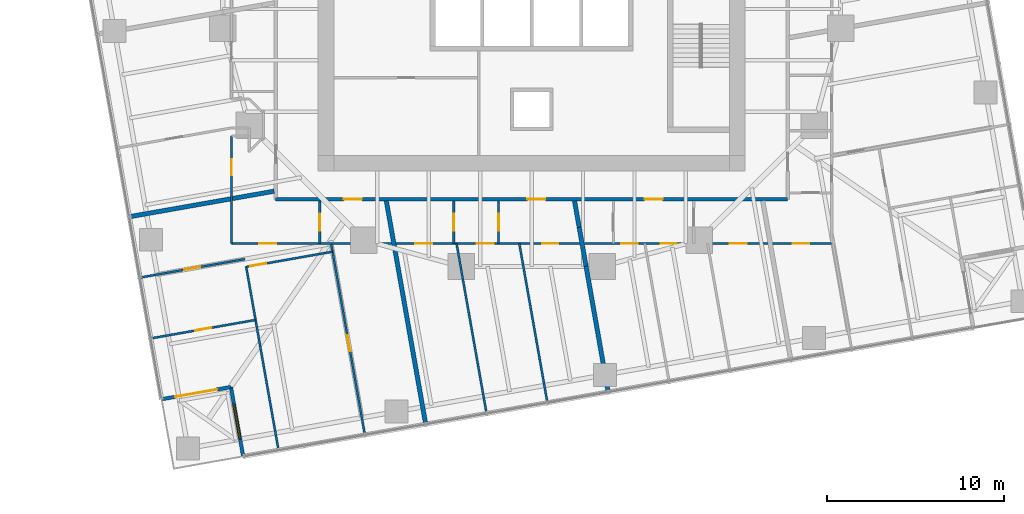
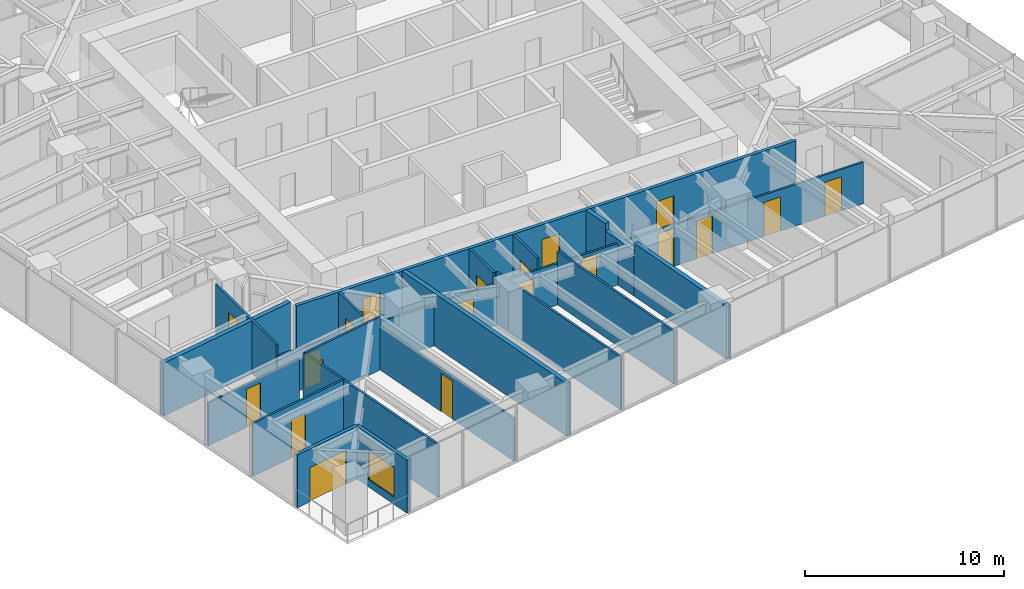
# One storey, part 8 of 14: 20 doors, 20 walls, 1 window, 21 openings.
"""IFC4 building model written with IfcOpenShell, lengths in metres."""

from ifc_helpers import new_model, si_unit, direction, frame, frame_2d, origin, place, context, subcontext, project, spatial, rectangle, extrude, material, layer, layer_set, type_object, element, fill, save


model = new_model("IFC4")

# Units and contexts
model_context = context("Model", 3, precision=1e-05, world=origin(), true_north=direction((0.0, 1.0)))
body_context = subcontext(model_context, "Body", "Model", "MODEL_VIEW")
ifc_project = project(units=[si_unit("LENGTHUNIT", "METRE"), si_unit("AREAUNIT", "SQUARE_METRE"), si_unit("VOLUMEUNIT", "CUBIC_METRE"), si_unit("PLANEANGLEUNIT", "RADIAN"), si_unit("MASSUNIT", "GRAM", prefix="KILO")], contexts=[model_context])

# Site, building, storey
site_placement = place(None, origin())
site = spatial("IfcSite", under=ifc_project, at=site_placement, CompositionType="ELEMENT")
building_placement = place(site_placement, origin())
building = spatial("IfcBuilding", under=site, at=building_placement, Name="Torsade Residences", CompositionType="ELEMENT")
storey_placement = place(building_placement, frame((0.0, 0.0, 93.0)))
storey = spatial("IfcBuildingStorey", under=building, at=storey_placement, Name="L25", CompositionType="ELEMENT", Elevation=93.0)

# Wall, openings, doors
ifc_material_1 = material(Name="Plasterboard on steel stud", Category="steel")
ifc_layer_1 = layer(ifc_material_1, 0.199951171875)
ifc_layer_set_1 = layer_set([ifc_layer_1], Name="Plasterboard on steel stud")
wall_type_1 = type_object("IfcWallType", Name="CORRIDOR WALL 200", PredefinedType="PARTITIONING", material=ifc_layer_set_1)
wall_1_placement = place(storey_placement, frame((25.5, 16.300048828125, 0.0), z_axis=(0.0, 0.0, 1.0), x_axis=(1.0, 0.0, 0.0)))
wall_1 = element("IfcWall", 1, at=wall_1_placement, inside=storey, type_object=wall_type_1, Name="Corridor wall L25", PredefinedType="PARTITIONING", context=body_context, shape_type="SweptSolid", body=[
    extrude(rectangle(XDim=29.0, YDim=0.199951171875, at=frame_2d((14.5, 0.0))), origin(), (0.0, 0.0, 1.0), 3.25),
])
opening_1_placement = place(wall_1_placement, frame((20.896240234375, 0.0, 0.0)))
opening_1 = element("IfcOpeningElement", 2, at=opening_1_placement, cuts=wall_1, Name="Opening D01", PredefinedType="OPENING", context=body_context, shape_type="SweptSolid", body=[
    extrude(rectangle(XDim=1.02001953125, YDim=2.340087890625, at=frame_2d((0.510009765625, 1.169921875))), frame((0.0, 0.10986328125, 0.0), z_axis=(0.0, -1.0, 0.0), x_axis=(1.0, 0.0, 0.0)), (0.0, 0.0, 1.0), 0.219970703125),
])
opening_2_placement = place(wall_1_placement, frame((14.257080078125, 0.0, 0.0)))
opening_2 = element("IfcOpeningElement", 3, at=opening_2_placement, cuts=wall_1, Name="Opening D01", PredefinedType="OPENING", context=body_context, shape_type="SweptSolid", body=[
    extrude(rectangle(XDim=1.02001953125, YDim=2.340087890625, at=frame_2d((0.510009765625, 1.169921875))), frame((0.0, 0.10986328125, 0.0), z_axis=(0.0, -1.0, 0.0), x_axis=(1.0, 0.0, 0.0)), (0.0, 0.0, 1.0), 0.219970703125),
])
opening_3_placement = place(wall_1_placement, frame((3.857421875, 0.0, 0.0)))
opening_3 = element("IfcOpeningElement", 4, at=opening_3_placement, cuts=wall_1, Name="Opening D01", PredefinedType="OPENING", context=body_context, shape_type="SweptSolid", body=[
    extrude(rectangle(XDim=1.02001953125, YDim=2.340087890625, at=frame_2d((0.510009765625, 1.169921875))), frame((0.0, 0.10986328125, 0.0), z_axis=(0.0, -1.0, 0.0), x_axis=(1.0, 0.0, 0.0)), (0.0, 0.0, 1.0), 0.219970703125),
])
ifc_material_2 = material(Name="Solid-core timber fire door", Category="wood")
door_type_1 = type_object("IfcDoorType", Name="APARTMENT ENTRY DOOR 1020x2340", OperationType="NOTDEFINED", PredefinedType="DOOR", material=ifc_material_2)
door_1_placement = place(opening_1_placement, origin())
door_1 = element("IfcDoor", 5, at=door_1_placement, inside=storey, type_object=door_type_1, Name="Door Residential corridor to Kitchen and dining", OperationType="SINGLE_SWING_LEFT", OverallHeight=2.340087890625, OverallWidth=1.02001953125, PredefinedType="DOOR", context=body_context, shape_type="SweptSolid", body=[
    extrude(rectangle(XDim=1.02001953125, YDim=2.340087890625, at=frame_2d((0.510009765625, 1.169921875))), frame((0.0, 0.02490234375, 0.0), z_axis=(0.0, -1.0, 0.0), x_axis=(1.0, 0.0, 0.0)), (0.0, 0.0, 1.0), 0.050048828125),
])
fill(opening_1, door_1)
door_2_placement = place(opening_2_placement, origin())
door_2 = element("IfcDoor", 6, at=door_2_placement, inside=storey, type_object=door_type_1, Name="Door Residential corridor to Kitchen and dining", OperationType="SINGLE_SWING_LEFT", OverallHeight=2.340087890625, OverallWidth=1.02001953125, PredefinedType="DOOR", context=body_context, shape_type="SweptSolid", body=[
    extrude(rectangle(XDim=1.02001953125, YDim=2.340087890625, at=frame_2d((0.510009765625, 1.169921875))), frame((0.0, 0.02490234375, 0.0), z_axis=(0.0, -1.0, 0.0), x_axis=(1.0, 0.0, 0.0)), (0.0, 0.0, 1.0), 0.050048828125),
])
fill(opening_2, door_2)
door_3_placement = place(opening_3_placement, origin())
door_3 = element("IfcDoor", 7, at=door_3_placement, inside=storey, type_object=door_type_1, Name="Door Residential corridor to Kitchen and dining", OperationType="SINGLE_SWING_RIGHT", OverallHeight=2.340087890625, OverallWidth=1.02001953125, PredefinedType="DOOR", context=body_context, shape_type="SweptSolid", body=[
    extrude(rectangle(XDim=1.02001953125, YDim=2.340087890625, at=frame_2d((0.510009765625, 1.169921875))), frame((0.0, 0.02490234375, 0.0), z_axis=(0.0, -1.0, 0.0), x_axis=(1.0, 0.0, 0.0)), (0.0, 0.0, 1.0), 0.050048828125),
])
fill(opening_3, door_3)

# Wall, opening, door
ifc_material_3 = material(Name="Plasterboard on steel stud", Category="steel")
ifc_layer_2 = layer(ifc_material_3, 0.1201171875)
ifc_layer_set_2 = layer_set([ifc_layer_2], Name="Plasterboard on steel stud")
wall_type_2 = type_object("IfcWallType", Name="PARTITION 120", PredefinedType="PARTITIONING", material=ifc_layer_set_2)
wall_2_placement = place(storey_placement, frame((23.0, 13.800048828125, 0.0), z_axis=(0.0, 0.0, 1.0), x_axis=(0.0, 1.0, 0.0)))
wall_2 = element("IfcWall", 8, at=wall_2_placement, inside=storey, type_object=wall_type_2, Name="Partition L25", PredefinedType="PARTITIONING", context=body_context, shape_type="SweptSolid", body=[
    extrude(rectangle(XDim=6.09423828125, YDim=0.1201171875, at=frame_2d((3.047119140625, 0.0))), origin(), (0.0, 0.0, 1.0), 3.25),
])
opening_4_placement = place(wall_2_placement, frame((3.857421875, 0.0, 0.0)))
opening_4 = element("IfcOpeningElement", 9, at=opening_4_placement, cuts=wall_2, Name="Opening D02", PredefinedType="OPENING", context=body_context, shape_type="SweptSolid", body=[
    extrude(rectangle(XDim=0.919921875, YDim=2.340087890625, at=frame_2d((0.4599609375, 1.169921875))), frame((0.0, 0.070068359375, 0.0), z_axis=(0.0, -1.0, 0.0), x_axis=(1.0, 0.0, 0.0)), (0.0, 0.0, 1.0), 0.14013671875),
])
ifc_material_4 = material(Name="Hollow-core timber door", Category="wood")
door_type_2 = type_object("IfcDoorType", Name="INTERNAL DOOR 920x2340", OperationType="NOTDEFINED", PredefinedType="DOOR", material=ifc_material_4)
door_4_placement = place(opening_4_placement, origin())
door_4 = element("IfcDoor", 10, at=door_4_placement, inside=storey, type_object=door_type_2, Name="Door Kitchen and dining to Bedroom 1", OperationType="SINGLE_SWING_LEFT", OverallHeight=2.340087890625, OverallWidth=0.919921875, PredefinedType="DOOR", context=body_context, shape_type="SweptSolid", body=[
    extrude(rectangle(XDim=0.919921875, YDim=2.340087890625, at=frame_2d((0.4599609375, 1.169921875))), frame((0.0, 0.02490234375, 0.0), z_axis=(0.0, -1.0, 0.0), x_axis=(1.0, 0.0, 0.0)), (0.0, 0.0, 1.0), 0.050048828125),
])
fill(opening_4, door_4)

wall_3_placement = place(storey_placement, frame((27.994873046875, 13.800048828125, 0.0), z_axis=(0.0, 0.0, 1.0), x_axis=(0.0, 1.0, 0.0)))
wall_3 = element("IfcWall", 11, at=wall_3_placement, inside=storey, type_object=wall_type_2, Name="Partition L25", PredefinedType="PARTITIONING", context=body_context, shape_type="SweptSolid", body=[
    extrude(rectangle(XDim=2.39990234375, YDim=0.1201171875, at=frame_2d((1.199951171875, 0.0))), origin(), (0.0, 0.0, 1.0), 3.25),
])
opening_5_placement = place(wall_3_placement, frame((0.719970703125, 0.0, 0.0)))
opening_5 = element("IfcOpeningElement", 12, at=opening_5_placement, cuts=wall_3, Name="Opening D05", PredefinedType="OPENING", context=body_context, shape_type="SweptSolid", body=[
    extrude(rectangle(XDim=0.9599609375, YDim=2.10009765625, at=frame_2d((0.47998046875, 1.050048828125))), frame((0.0, 0.070068359375, 0.0), z_axis=(0.0, -1.0, 0.0), x_axis=(1.0, 0.0, 0.0)), (0.0, 0.0, 1.0), 0.14013671875),
])
ifc_material_5 = material(Name="Hollow-core timber door in a steel cavity frame", Category="steel")
door_type_3 = type_object("IfcDoorType", Name="BATHROOM CAVITY SLIDING DOOR 960", OperationType="SLIDING_TO_LEFT", PredefinedType="DOOR", material=ifc_material_5)
door_5_placement = place(opening_5_placement, origin())
door_5 = element("IfcDoor", 13, at=door_5_placement, inside=storey, type_object=door_type_3, Name="Door Kitchen and dining to Bathroom", OperationType="SLIDING_TO_LEFT", OverallHeight=2.10009765625, OverallWidth=0.9599609375, PredefinedType="DOOR", context=body_context, shape_type="SweptSolid", body=[
    extrude(rectangle(XDim=0.9599609375, YDim=2.10009765625, at=frame_2d((0.47998046875, 1.050048828125))), frame((0.0, 0.02490234375, 0.0), z_axis=(0.0, -1.0, 0.0), x_axis=(1.0, 0.0, 0.0)), (0.0, 0.0, 1.0), 0.050048828125),
])
fill(opening_5, door_5)

# Wall, openings, doors
wall_4_placement = place(storey_placement, frame((57.0, 13.800048828125, 0.0), z_axis=(0.0, 0.0, 1.0), x_axis=(-1.0, 0.0, 0.0)))
wall_4 = element("IfcWall", 14, at=wall_4_placement, inside=storey, type_object=wall_type_2, Name="Partition L25", PredefinedType="PARTITIONING", context=body_context, shape_type="SweptSolid", body=[
    extrude(rectangle(XDim=34.0, YDim=0.1201171875, at=frame_2d((17.0, 0.0))), origin(), (0.0, 0.0, 1.0), 2.550048828125),
])
opening_6_placement = place(wall_4_placement, frame((8.767822265625, 0.0, 0.0)))
opening_6 = element("IfcOpeningElement", 15, at=opening_6_placement, cuts=wall_4, Name="Opening D02", PredefinedType="OPENING", context=body_context, shape_type="SweptSolid", body=[
    extrude(rectangle(XDim=0.919921875, YDim=2.340087890625, at=frame_2d((0.4599609375, 1.169921875))), frame((0.0, 0.070068359375, 0.0), z_axis=(0.0, -1.0, 0.0), x_axis=(1.0, 0.0, 0.0)), (0.0, 0.0, 1.0), 0.14013671875),
])
opening_7_placement = place(wall_4_placement, frame((10.995361328125, 0.0, 0.0)))
opening_7 = element("IfcOpeningElement", 16, at=opening_7_placement, cuts=wall_4, Name="Opening D02", PredefinedType="OPENING", context=body_context, shape_type="SweptSolid", body=[
    extrude(rectangle(XDim=0.919921875, YDim=2.340087890625, at=frame_2d((0.4599609375, 1.169921875))), frame((0.0, 0.070068359375, 0.0), z_axis=(0.0, -1.0, 0.0), x_axis=(1.0, 0.0, 0.0)), (0.0, 0.0, 1.0), 0.14013671875),
])
opening_8_placement = place(wall_4_placement, frame((15.48583984375, 0.0, 0.0)))
opening_8 = element("IfcOpeningElement", 17, at=opening_8_placement, cuts=wall_4, Name="Opening D02", PredefinedType="OPENING", context=body_context, shape_type="SweptSolid", body=[
    extrude(rectangle(XDim=0.919921875, YDim=2.340087890625, at=frame_2d((0.4599609375, 1.169921875))), frame((0.0, 0.070068359375, 0.0), z_axis=(0.0, -1.0, 0.0), x_axis=(1.0, 0.0, 0.0)), (0.0, 0.0, 1.0), 0.14013671875),
])
opening_9_placement = place(wall_4_placement, frame((4.803955078125, 0.0, 0.0)))
opening_9 = element("IfcOpeningElement", 18, at=opening_9_placement, cuts=wall_4, Name="Opening D05", PredefinedType="OPENING", context=body_context, shape_type="SweptSolid", body=[
    extrude(rectangle(XDim=0.9599609375, YDim=2.10009765625, at=frame_2d((0.47998046875, 1.050048828125))), frame((0.0, 0.070068359375, 0.0), z_axis=(0.0, -1.0, 0.0), x_axis=(1.0, 0.0, 0.0)), (0.0, 0.0, 1.0), 0.14013671875),
])
opening_10_placement = place(wall_4_placement, frame((19.155029296875, 0.0, 0.0)))
opening_10 = element("IfcOpeningElement", 19, at=opening_10_placement, cuts=wall_4, Name="Opening D05", PredefinedType="OPENING", context=body_context, shape_type="SweptSolid", body=[
    extrude(rectangle(XDim=0.9599609375, YDim=2.10009765625, at=frame_2d((0.47998046875, 1.050048828125))), frame((0.0, 0.070068359375, 0.0), z_axis=(0.0, -1.0, 0.0), x_axis=(1.0, 0.0, 0.0)), (0.0, 0.0, 1.0), 0.14013671875),
])
opening_11_placement = place(wall_4_placement, frame((31.47265625, 0.0, 0.0)))
opening_11 = element("IfcOpeningElement", 20, at=opening_11_placement, cuts=wall_4, Name="Opening D05", PredefinedType="OPENING", context=body_context, shape_type="SweptSolid", body=[
    extrude(rectangle(XDim=0.9599609375, YDim=2.10009765625, at=frame_2d((0.47998046875, 1.050048828125))), frame((0.0, 0.070068359375, 0.0), z_axis=(0.0, -1.0, 0.0), x_axis=(1.0, 0.0, 0.0)), (0.0, 0.0, 1.0), 0.14013671875),
])
opening_12_placement = place(wall_4_placement, frame((1.2607421875, 0.0, 0.0)))
opening_12 = element("IfcOpeningElement", 21, at=opening_12_placement, cuts=wall_4, Name="Opening D05", PredefinedType="OPENING", context=body_context, shape_type="SweptSolid", body=[
    extrude(rectangle(XDim=0.9599609375, YDim=2.10009765625, at=frame_2d((0.47998046875, 1.050048828125))), frame((0.0, 0.070068359375, 0.0), z_axis=(0.0, -1.0, 0.0), x_axis=(1.0, 0.0, 0.0)), (0.0, 0.0, 1.0), 0.14013671875),
])
opening_13_placement = place(wall_4_placement, frame((22.627197265625, 0.0, 0.0)))
opening_13 = element("IfcOpeningElement", 22, at=opening_13_placement, cuts=wall_4, Name="Opening D05", PredefinedType="OPENING", context=body_context, shape_type="SweptSolid", body=[
    extrude(rectangle(XDim=0.9599609375, YDim=2.10009765625, at=frame_2d((0.47998046875, 1.050048828125))), frame((0.0, 0.070068359375, 0.0), z_axis=(0.0, -1.0, 0.0), x_axis=(1.0, 0.0, 0.0)), (0.0, 0.0, 1.0), 0.14013671875),
])
door_6_placement = place(opening_9_placement, origin())
door_6 = element("IfcDoor", 23, at=door_6_placement, inside=storey, type_object=door_type_3, Name="Door Bathroom to Bedroom 2", OperationType="SLIDING_TO_LEFT", OverallHeight=2.10009765625, OverallWidth=0.9599609375, PredefinedType="DOOR", context=body_context, shape_type="SweptSolid", body=[
    extrude(rectangle(XDim=0.9599609375, YDim=2.10009765625, at=frame_2d((0.47998046875, 1.050048828125))), frame((0.0, 0.02490234375, 0.0), z_axis=(0.0, -1.0, 0.0), x_axis=(1.0, 0.0, 0.0)), (0.0, 0.0, 1.0), 0.050048828125),
])
fill(opening_9, door_6)
door_7_placement = place(opening_10_placement, origin())
door_7 = element("IfcDoor", 24, at=door_7_placement, inside=storey, type_object=door_type_3, Name="Door Ensuite to Bedroom 1", OperationType="SLIDING_TO_LEFT", OverallHeight=2.10009765625, OverallWidth=0.9599609375, PredefinedType="DOOR", context=body_context, shape_type="SweptSolid", body=[
    extrude(rectangle(XDim=0.9599609375, YDim=2.10009765625, at=frame_2d((0.47998046875, 1.050048828125))), frame((0.0, 0.02490234375, 0.0), z_axis=(0.0, -1.0, 0.0), x_axis=(1.0, 0.0, 0.0)), (0.0, 0.0, 1.0), 0.050048828125),
])
fill(opening_10, door_7)
door_8_placement = place(opening_11_placement, origin())
door_8 = element("IfcDoor", 25, at=door_8_placement, inside=storey, type_object=door_type_3, Name="Door Bathroom to Study", OperationType="SLIDING_TO_LEFT", OverallHeight=2.10009765625, OverallWidth=0.9599609375, PredefinedType="DOOR", context=body_context, shape_type="SweptSolid", body=[
    extrude(rectangle(XDim=0.9599609375, YDim=2.10009765625, at=frame_2d((0.47998046875, 1.050048828125))), frame((0.0, 0.02490234375, 0.0), z_axis=(0.0, -1.0, 0.0), x_axis=(1.0, 0.0, 0.0)), (0.0, 0.0, 1.0), 0.050048828125),
])
fill(opening_11, door_8)
door_9_placement = place(opening_12_placement, origin())
door_9 = element("IfcDoor", 26, at=door_9_placement, inside=storey, type_object=door_type_3, Name="Door WC to Family room", OperationType="SLIDING_TO_LEFT", OverallHeight=2.10009765625, OverallWidth=0.9599609375, PredefinedType="DOOR", context=body_context, shape_type="SweptSolid", body=[
    extrude(rectangle(XDim=0.9599609375, YDim=2.10009765625, at=frame_2d((0.47998046875, 1.050048828125))), frame((0.0, 0.02490234375, 0.0), z_axis=(0.0, -1.0, 0.0), x_axis=(1.0, 0.0, 0.0)), (0.0, 0.0, 1.0), 0.050048828125),
])
fill(opening_12, door_9)
door_10_placement = place(opening_13_placement, origin())
door_10 = element("IfcDoor", 27, at=door_10_placement, inside=storey, type_object=door_type_3, Name="Door Bathroom to Living room", OperationType="SLIDING_TO_LEFT", OverallHeight=2.10009765625, OverallWidth=0.9599609375, PredefinedType="DOOR", context=body_context, shape_type="SweptSolid", body=[
    extrude(rectangle(XDim=0.9599609375, YDim=2.10009765625, at=frame_2d((0.47998046875, 1.050048828125))), frame((0.0, 0.02490234375, 0.0), z_axis=(0.0, -1.0, 0.0), x_axis=(1.0, 0.0, 0.0)), (0.0, 0.0, 1.0), 0.050048828125),
])
fill(opening_13, door_10)
door_11_placement = place(opening_6_placement, origin())
door_11 = element("IfcDoor", 28, at=door_11_placement, inside=storey, type_object=door_type_2, Name="Door Kitchen and dining to Bedroom 1", OperationType="SINGLE_SWING_LEFT", OverallHeight=2.340087890625, OverallWidth=0.919921875, PredefinedType="DOOR", context=body_context, shape_type="SweptSolid", body=[
    extrude(rectangle(XDim=0.919921875, YDim=2.340087890625, at=frame_2d((0.4599609375, 1.169921875))), frame((0.0, 0.02490234375, 0.0), z_axis=(0.0, -1.0, 0.0), x_axis=(1.0, 0.0, 0.0)), (0.0, 0.0, 1.0), 0.050048828125),
])
fill(opening_6, door_11)
door_12_placement = place(opening_7_placement, origin())
door_12 = element("IfcDoor", 29, at=door_12_placement, inside=storey, type_object=door_type_2, Name="Door Kitchen and dining to Living room", OperationType="SINGLE_SWING_LEFT", OverallHeight=2.340087890625, OverallWidth=0.919921875, PredefinedType="DOOR", context=body_context, shape_type="SweptSolid", body=[
    extrude(rectangle(XDim=0.919921875, YDim=2.340087890625, at=frame_2d((0.4599609375, 1.169921875))), frame((0.0, 0.02490234375, 0.0), z_axis=(0.0, -1.0, 0.0), x_axis=(1.0, 0.0, 0.0)), (0.0, 0.0, 1.0), 0.050048828125),
])
fill(opening_7, door_12)
door_13_placement = place(opening_8_placement, origin())
door_13 = element("IfcDoor", 30, at=door_13_placement, inside=storey, type_object=door_type_2, Name="Door Kitchen and dining to Bedroom 2", OperationType="SINGLE_SWING_LEFT", OverallHeight=2.340087890625, OverallWidth=0.919921875, PredefinedType="DOOR", context=body_context, shape_type="SweptSolid", body=[
    extrude(rectangle(XDim=0.919921875, YDim=2.340087890625, at=frame_2d((0.4599609375, 1.169921875))), frame((0.0, 0.02490234375, 0.0), z_axis=(0.0, -1.0, 0.0), x_axis=(1.0, 0.0, 0.0)), (0.0, 0.0, 1.0), 0.050048828125),
])
fill(opening_8, door_13)

# Wall, opening, door
wall_5_placement = place(storey_placement, frame((28.647705078125, 13.759765625, 0.0), z_axis=(0.0, 0.0, 1.0), x_axis=(0.173632532564, -0.984810511538, 0.0)))
wall_5 = element("IfcWall", 31, at=wall_5_placement, inside=storey, type_object=wall_type_2, Name="Partition L25", PredefinedType="PARTITIONING", context=body_context, shape_type="SweptSolid", body=[
    extrude(rectangle(XDim=10.93798828125, YDim=0.1201171875, at=frame_2d((5.468994140625, 0.0))), origin(), (0.0, 0.0, 1.0), 2.637939453125),
])
opening_14_placement = place(wall_5_placement, frame((5.24267578125, 0.0, 0.0)))
opening_14 = element("IfcOpeningElement", 32, at=opening_14_placement, cuts=wall_5, Name="Opening D02", PredefinedType="OPENING", context=body_context, shape_type="SweptSolid", body=[
    extrude(rectangle(XDim=0.919921875, YDim=2.340087890625, at=frame_2d((0.4599609375, 1.169921875))), frame((0.0, 0.070068359375, 0.0), z_axis=(0.0, -1.0, 0.0), x_axis=(1.0, 0.0, 0.0)), (0.0, 0.0, 1.0), 0.14013671875),
])
door_14_placement = place(opening_14_placement, origin())
door_14 = element("IfcDoor", 33, at=door_14_placement, inside=storey, type_object=door_type_2, Name="Door Living room to Bedroom 1", OperationType="SINGLE_SWING_LEFT", OverallHeight=2.340087890625, OverallWidth=0.919921875, PredefinedType="DOOR", context=body_context, shape_type="SweptSolid", body=[
    extrude(rectangle(XDim=0.919921875, YDim=2.340087890625, at=frame_2d((0.4599609375, 1.169921875))), frame((0.0, 0.02490234375, 0.0), z_axis=(0.0, -1.0, 0.0), x_axis=(1.0, 0.0, 0.0)), (0.0, 0.0, 1.0), 0.050048828125),
])
fill(opening_14, door_14)

# Wall
wall_6_placement = place(storey_placement, frame((25.65576171875, 2.125732421875, 0.0), z_axis=(0.0, 0.0, 1.0), x_axis=(-0.173653317458, 0.984806846715, 0.0)))
element("IfcWall", 34, at=wall_6_placement, inside=storey, type_object=wall_type_2, Name="Partition L25", PredefinedType="PARTITIONING", context=body_context, shape_type="SweptSolid", body=[
    extrude(rectangle(XDim=10.550048828125, YDim=0.1201171875, at=frame_2d((5.27490234375, 0.0))), origin(), (0.0, 0.0, 1.0), 3.25),
])

# Wall, opening, door
wall_7_placement = place(storey_placement, frame((23.830810546875, 12.47607421875, 0.0), z_axis=(0.0, 0.0, 1.0), x_axis=(0.984810765884, 0.173631089957, 0.0)))
wall_7 = element("IfcWall", 35, at=wall_7_placement, inside=storey, type_object=wall_type_2, Name="Partition L25", PredefinedType="PARTITIONING", context=body_context, shape_type="SweptSolid", body=[
    extrude(rectangle(XDim=4.96630859375, YDim=0.1201171875, at=frame_2d((2.483154296875, 0.0))), origin(), (0.0, 0.0, 1.0), 3.25),
])
opening_15_placement = place(wall_7_placement, frame((0.223388671875, 0.0, 0.0)))
opening_15 = element("IfcOpeningElement", 36, at=opening_15_placement, cuts=wall_7, Name="Opening D02", PredefinedType="OPENING", context=body_context, shape_type="SweptSolid", body=[
    extrude(rectangle(XDim=0.919921875, YDim=2.340087890625, at=frame_2d((0.4599609375, 1.169921875))), frame((0.0, 0.070068359375, 0.0), z_axis=(0.0, -1.0, 0.0), x_axis=(1.0, 0.0, 0.0)), (0.0, 0.0, 1.0), 0.14013671875),
])
door_15_placement = place(opening_15_placement, origin())
door_15 = element("IfcDoor", 37, at=door_15_placement, inside=storey, type_object=door_type_2, Name="Door Study to Living room", OperationType="SINGLE_SWING_LEFT", OverallHeight=2.340087890625, OverallWidth=0.919921875, PredefinedType="DOOR", context=body_context, shape_type="SweptSolid", body=[
    extrude(rectangle(XDim=0.919921875, YDim=2.340087890625, at=frame_2d((0.4599609375, 1.169921875))), frame((0.0, 0.02490234375, 0.0), z_axis=(0.0, -1.0, 0.0), x_axis=(1.0, 0.0, 0.0)), (0.0, 0.0, 1.0), 0.050048828125),
])
fill(opening_15, door_15)

wall_8_placement = place(storey_placement, frame((18.4580078125, 8.431640625, 0.0), z_axis=(0.0, 0.0, 1.0), x_axis=(0.984806924634, 0.173652875567, 0.0)))
wall_8 = element("IfcWall", 38, at=wall_8_placement, inside=storey, type_object=wall_type_2, Name="Partition L25", PredefinedType="PARTITIONING", context=body_context, shape_type="SweptSolid", body=[
    extrude(rectangle(XDim=5.993408203125, YDim=0.1201171875, at=frame_2d((2.99658203125, 0.0))), origin(), (0.0, 0.0, 1.0), 3.25),
])
opening_16_placement = place(wall_8_placement, frame((2.5166015625, 0.0, 0.0)))
opening_16 = element("IfcOpeningElement", 39, at=opening_16_placement, cuts=wall_8, Name="Opening D02", PredefinedType="OPENING", context=body_context, shape_type="SweptSolid", body=[
    extrude(rectangle(XDim=0.919921875, YDim=2.340087890625, at=frame_2d((0.4599609375, 1.169921875))), frame((0.0, 0.070068359375, 0.0), z_axis=(0.0, -1.0, 0.0), x_axis=(1.0, 0.0, 0.0)), (0.0, 0.0, 1.0), 0.14013671875),
])
door_16_placement = place(opening_16_placement, origin())
door_16 = element("IfcDoor", 40, at=door_16_placement, inside=storey, type_object=door_type_2, Name="Door Family room to Bedroom 2", OperationType="SINGLE_SWING_RIGHT", OverallHeight=2.340087890625, OverallWidth=0.919921875, PredefinedType="DOOR", context=body_context, shape_type="SweptSolid", body=[
    extrude(rectangle(XDim=0.919921875, YDim=2.340087890625, at=frame_2d((0.4599609375, 1.169921875))), frame((0.0, 0.02490234375, 0.0), z_axis=(0.0, -1.0, 0.0), x_axis=(1.0, 0.0, 0.0)), (0.0, 0.0, 1.0), 0.050048828125),
])
fill(opening_16, door_16)

wall_9_placement = place(storey_placement, frame((23.752685546875, 12.919189453125, 0.0), z_axis=(0.0, 0.0, 1.0), x_axis=(-0.984806924634, -0.173652875567, 0.0)))
wall_9 = element("IfcWall", 41, at=wall_9_placement, inside=storey, type_object=wall_type_2, Name="Partition L25", PredefinedType="PARTITIONING", context=body_context, shape_type="SweptSolid", body=[
    extrude(rectangle(XDim=5.993408203125, YDim=0.1201171875, at=frame_2d((2.99658203125, 0.0))), origin(), (0.0, 0.0, 1.0), 2.637939453125),
])
opening_17_placement = place(wall_9_placement, frame((2.556640625, 0.0, 0.0)))
opening_17 = element("IfcOpeningElement", 42, at=opening_17_placement, cuts=wall_9, Name="Opening D02", PredefinedType="OPENING", context=body_context, shape_type="SweptSolid", body=[
    extrude(rectangle(XDim=0.919921875, YDim=2.340087890625, at=frame_2d((0.4599609375, 1.169921875))), frame((0.0, 0.070068359375, 0.0), z_axis=(0.0, -1.0, 0.0), x_axis=(1.0, 0.0, 0.0)), (0.0, 0.0, 1.0), 0.14013671875),
])
door_17_placement = place(opening_17_placement, origin())
door_17 = element("IfcDoor", 43, at=door_17_placement, inside=storey, type_object=door_type_2, Name="Door Study to Family room", OperationType="SINGLE_SWING_RIGHT", OverallHeight=2.340087890625, OverallWidth=0.919921875, PredefinedType="DOOR", context=body_context, shape_type="SweptSolid", body=[
    extrude(rectangle(XDim=0.919921875, YDim=2.340087890625, at=frame_2d((0.4599609375, 1.169921875))), frame((0.0, 0.02490234375, 0.0), z_axis=(0.0, -1.0, 0.0), x_axis=(1.0, 0.0, 0.0)), (0.0, 0.0, 1.0), 0.050048828125),
])
fill(opening_17, door_17)

wall_10_placement = place(storey_placement, frame((38.132080078125, 13.800048828125, 0.0), z_axis=(0.0, 0.0, 1.0), x_axis=(0.0, 1.0, 0.0)))
wall_10 = element("IfcWall", 44, at=wall_10_placement, inside=storey, type_object=wall_type_2, Name="Partition L25", PredefinedType="PARTITIONING", context=body_context, shape_type="SweptSolid", body=[
    extrude(rectangle(XDim=2.39990234375, YDim=0.1201171875, at=frame_2d((1.199951171875, 0.0))), origin(), (0.0, 0.0, 1.0), 3.25),
])
opening_18_placement = place(wall_10_placement, frame((0.719970703125, 0.0, 0.0)))
opening_18 = element("IfcOpeningElement", 45, at=opening_18_placement, cuts=wall_10, Name="Opening D05", PredefinedType="OPENING", context=body_context, shape_type="SweptSolid", body=[
    extrude(rectangle(XDim=0.9599609375, YDim=2.10009765625, at=frame_2d((0.47998046875, 1.050048828125))), frame((0.0, 0.070068359375, 0.0), z_axis=(0.0, -1.0, 0.0), x_axis=(1.0, 0.0, 0.0)), (0.0, 0.0, 1.0), 0.14013671875),
])
door_18_placement = place(opening_18_placement, origin())
door_18 = element("IfcDoor", 46, at=door_18_placement, inside=storey, type_object=door_type_3, Name="Door Kitchen and dining to Ensuite", OperationType="SLIDING_TO_LEFT", OverallHeight=2.10009765625, OverallWidth=0.9599609375, PredefinedType="DOOR", context=body_context, shape_type="SweptSolid", body=[
    extrude(rectangle(XDim=0.9599609375, YDim=2.10009765625, at=frame_2d((0.47998046875, 1.050048828125))), frame((0.0, 0.02490234375, 0.0), z_axis=(0.0, -1.0, 0.0), x_axis=(1.0, 0.0, 0.0)), (0.0, 0.0, 1.0), 0.050048828125),
])
fill(opening_18, door_18)

wall_11_placement = place(storey_placement, frame((35.591064453125, 16.199951171875, 0.0), z_axis=(0.0, 0.0, 1.0), x_axis=(0.0, -1.0, 0.0)))
wall_11 = element("IfcWall", 47, at=wall_11_placement, inside=storey, type_object=wall_type_2, Name="Partition L25", PredefinedType="PARTITIONING", context=body_context, shape_type="SweptSolid", body=[
    extrude(rectangle(XDim=2.39990234375, YDim=0.1201171875, at=frame_2d((1.199951171875, 0.0))), origin(), (0.0, 0.0, 1.0), 3.25),
])
opening_19_placement = place(wall_11_placement, frame((0.719970703125, 0.0, 0.0)))
opening_19 = element("IfcOpeningElement", 48, at=opening_19_placement, cuts=wall_11, Name="Opening D05", PredefinedType="OPENING", context=body_context, shape_type="SweptSolid", body=[
    extrude(rectangle(XDim=0.9599609375, YDim=2.10009765625, at=frame_2d((0.47998046875, 1.050048828125))), frame((0.0, 0.070068359375, 0.0), z_axis=(0.0, -1.0, 0.0), x_axis=(1.0, 0.0, 0.0)), (0.0, 0.0, 1.0), 0.14013671875),
])
door_19_placement = place(opening_19_placement, origin())
door_19 = element("IfcDoor", 49, at=door_19_placement, inside=storey, type_object=door_type_3, Name="Door Ensuite to Bathroom", OperationType="SLIDING_TO_LEFT", OverallHeight=2.10009765625, OverallWidth=0.9599609375, PredefinedType="DOOR", context=body_context, shape_type="SweptSolid", body=[
    extrude(rectangle(XDim=0.9599609375, YDim=2.10009765625, at=frame_2d((0.47998046875, 1.050048828125))), frame((0.0, 0.02490234375, 0.0), z_axis=(0.0, -1.0, 0.0), x_axis=(1.0, 0.0, 0.0)), (0.0, 0.0, 1.0), 0.050048828125),
])
fill(opening_19, door_19)

# Walls
wall_12_placement = place(storey_placement, frame((35.74853515625, 13.800048828125, 0.0), z_axis=(0.0, 0.0, 1.0), x_axis=(0.173650980998, -0.984807258705, 0.0)))
element("IfcWall", 50, at=wall_12_placement, inside=storey, type_object=wall_type_2, Name="Partition L25", PredefinedType="PARTITIONING", context=body_context, shape_type="SweptSolid", body=[
    extrude(rectangle(XDim=9.744384765625, YDim=0.1201171875, at=frame_2d((4.8720703125, 0.0))), origin(), (0.0, 0.0, 1.0), 3.25),
])
wall_13_placement = place(storey_placement, frame((39.302490234375, 13.800048828125, 0.0), z_axis=(0.0, 0.0, 1.0), x_axis=(0.173652576186, -0.984806977424, 0.0)))
element("IfcWall", 51, at=wall_13_placement, inside=storey, type_object=wall_type_2, Name="Partition L25", PredefinedType="PARTITIONING", context=body_context, shape_type="SweptSolid", body=[
    extrude(rectangle(XDim=9.127197265625, YDim=0.1201171875, at=frame_2d((4.5634765625, 0.0))), origin(), (0.0, 0.0, 1.0), 3.25),
])
ifc_material_6 = material(Name="Masonry-lined stud party wall", Category="masonry")
ifc_layer_3 = layer(ifc_material_6, 0.25)
ifc_layer_set_3 = layer_set([ifc_layer_3], Name="Masonry-lined stud party wall")
wall_type_3 = type_object("IfcWallType", Name="PARTY WALL 250", PredefinedType="PARTITIONING", material=ifc_layer_set_3)
wall_14_placement = place(storey_placement, frame((44.34130859375, 5.3798828125, 0.0), z_axis=(0.0, 0.0, 1.0), x_axis=(-0.173677660443, 0.984802553948, 0.0)))
element("IfcWall", 52, at=wall_14_placement, inside=storey, type_object=wall_type_3, Name="Party wall L25", PredefinedType="PARTITIONING", context=body_context, shape_type="SweptSolid", body=[
    extrude(rectangle(XDim=7.24365234375, YDim=0.25, at=frame_2d((3.621826171875, 0.0))), origin(), (0.0, 0.0, 1.0), 3.25),
])
wall_15_placement = place(storey_placement, frame((43.083251953125, 12.513427734375, 0.0), z_axis=(0.0, 0.0, 1.0), x_axis=(-0.17363609779, 0.984809882944, 0.0)))
element("IfcWall", 53, at=wall_15_placement, inside=storey, type_object=wall_type_3, Name="Party wall L25", PredefinedType="PARTITIONING", context=body_context, shape_type="SweptSolid", body=[
    extrude(rectangle(XDim=2.23974609375, YDim=0.25, at=frame_2d((1.119873046875, 0.0))), origin(), (0.0, 0.0, 1.0), 2.794921875),
])
wall_16_placement = place(storey_placement, frame((42.6943359375, 14.71923828125, 0.0), z_axis=(0.0, 0.0, 1.0), x_axis=(-0.173602272028, 0.984815846312, 0.0)))
element("IfcWall", 54, at=wall_16_placement, inside=storey, type_object=wall_type_3, Name="Party wall L25", PredefinedType="PARTITIONING", context=body_context, shape_type="SweptSolid", body=[
    extrude(rectangle(XDim=1.521728515625, YDim=0.25, at=frame_2d((0.7607421875, 0.0))), origin(), (0.0, 0.0, 1.0), 3.25),
])
wall_17_placement = place(storey_placement, frame((34.000732421875, 3.556396484375, 0.0), z_axis=(0.0, 0.0, 1.0), x_axis=(-0.173639088111, 0.984809355703, 0.0)))
element("IfcWall", 55, at=wall_17_placement, inside=storey, type_object=wall_type_3, Name="Party wall L25", PredefinedType="PARTITIONING", context=body_context, shape_type="SweptSolid", body=[
    extrude(rectangle(XDim=12.856689453125, YDim=0.25, at=frame_2d((6.42822265625, 0.0))), origin(), (0.0, 0.0, 1.0), 3.25),
])
wall_18_placement = place(storey_placement, frame((17.203125, 15.318359375, 0.0), z_axis=(0.0, 0.0, 1.0), x_axis=(0.984807121942, 0.173651756605, 0.0)))
element("IfcWall", 56, at=wall_18_placement, inside=storey, type_object=wall_type_3, Name="Party wall L25", PredefinedType="PARTITIONING", context=body_context, shape_type="SweptSolid", body=[
    extrude(rectangle(XDim=8.34130859375, YDim=0.25, at=frame_2d((4.170654296875, 0.0))), origin(), (0.0, 0.0, 1.0), 3.25),
])

# Wall, opening, door
ifc_material_7 = material(Name="Stone-faced precast concrete 40 MPa panel", Category="masonry")
ifc_layer_4 = layer(ifc_material_7, 0.199951171875)
ifc_layer_set_4 = layer_set([ifc_layer_4], Name="Stone-faced precast concrete 40 MPa panel")
wall_type_4 = type_object("IfcWallType", Name="TERRACE WALL 200", PredefinedType="SOLIDWALL", material=ifc_layer_set_4)
wall_19_placement = place(storey_placement, frame((19.0263671875, 4.977783203125, 0.0), z_axis=(0.0, 0.0, 1.0), x_axis=(0.984808127031, 0.173646056486, 0.0)))
wall_19 = element("IfcWall", 57, at=wall_19_placement, inside=storey, type_object=wall_type_4, Name="Terrace wall L25 11", PredefinedType="SOLIDWALL", context=body_context, shape_type="SweptSolid", body=[
    extrude(rectangle(XDim=4.0, YDim=0.199951171875, at=frame_2d((2.0, 0.0))), origin(), (0.0, 0.0, 1.0), 3.25),
])
opening_20_placement = place(wall_19_placement, frame((0.800048828125, 0.0, 0.0)))
opening_20 = element("IfcOpeningElement", 58, at=opening_20_placement, cuts=wall_19, Name="Opening D10A", PredefinedType="OPENING", context=body_context, shape_type="SweptSolid", body=[
    extrude(rectangle(XDim=2.39990234375, YDim=2.10009765625, at=frame_2d((1.199951171875, 1.050048828125))), frame((0.0, 0.10986328125, 0.0), z_axis=(0.0, -1.0, 0.0), x_axis=(1.0, 0.0, 0.0)), (0.0, 0.0, 1.0), 0.219970703125),
])
ifc_material_8 = material(Name="Aluminium-framed glass door", Category="aluminium")
door_type_4 = type_object("IfcDoorType", Name="TERRACE SLIDING DOOR 2400x2100", OperationType="SLIDING_TO_LEFT", PredefinedType="DOOR", material=ifc_material_8)
door_20_placement = place(opening_20_placement, origin())
door_20 = element("IfcDoor", 59, at=door_20_placement, inside=storey, type_object=door_type_4, Name="Terrace door L25 11", OperationType="SLIDING_TO_LEFT", OverallHeight=2.10009765625, OverallWidth=2.39990234375, PredefinedType="DOOR", context=body_context, shape_type="SweptSolid", body=[
    extrude(rectangle(XDim=2.39990234375, YDim=2.10009765625, at=frame_2d((1.199951171875, 1.050048828125))), frame((0.0, 0.02490234375, 0.0), z_axis=(0.0, -1.0, 0.0), x_axis=(1.0, 0.0, 0.0)), (0.0, 0.0, 1.0), 0.050048828125),
])
fill(opening_20, door_20)

# Wall, opening, window
wall_20_placement = place(storey_placement, frame((22.965576171875, 5.67236328125, 0.0), z_axis=(0.0, 0.0, 1.0), x_axis=(0.173646056486, -0.984808127031, 0.0)))
wall_20 = element("IfcWall", 60, at=wall_20_placement, inside=storey, type_object=wall_type_4, Name="Terrace wall L25 12", PredefinedType="SOLIDWALL", context=body_context, shape_type="SweptSolid", body=[
    extrude(rectangle(XDim=4.0, YDim=0.199951171875, at=frame_2d((2.0, 0.0))), origin(), (0.0, 0.0, 1.0), 3.25),
])
opening_21_placement = place(wall_20_placement, frame((1.0, 0.0, 0.449951171875)))
opening_21 = element("IfcOpeningElement", 61, at=opening_21_placement, cuts=wall_20, Name="Opening W1B", PredefinedType="OPENING", context=body_context, shape_type="SweptSolid", body=[
    extrude(rectangle(XDim=2.0, YDim=1.800048828125, at=frame_2d((1.0, 0.89990234375))), frame((0.0, 0.10986328125, 0.0), z_axis=(0.0, -1.0, 0.0), x_axis=(1.0, 0.0, 0.0)), (0.0, 0.0, 1.0), 0.219970703125),
])
ifc_material_9 = material(Name="Aluminium-framed glass window", Category="aluminium")
window_type = type_object("IfcWindowType", Name="TERRACE WINDOW 2000x1800", PartitioningType="SINGLE_PANEL", PredefinedType="WINDOW", material=ifc_material_9)
window_placement = place(opening_21_placement, origin())
window = element("IfcWindow", 62, at=window_placement, inside=storey, type_object=window_type, Name="Terrace window L25 12", OverallHeight=1.800048828125, OverallWidth=2.0, PartitioningType="SINGLE_PANEL", PredefinedType="WINDOW", context=body_context, shape_type="SweptSolid", body=[
    extrude(rectangle(XDim=2.0, YDim=1.800048828125, at=frame_2d((1.0, 0.89990234375))), frame((0.0, 0.030029296875, 0.0), z_axis=(0.0, -1.0, 0.0), x_axis=(1.0, 0.0, 0.0)), (0.0, 0.0, 1.0), 0.06005859375),
])
fill(opening_21, window)

save(model, "model.ifc")
